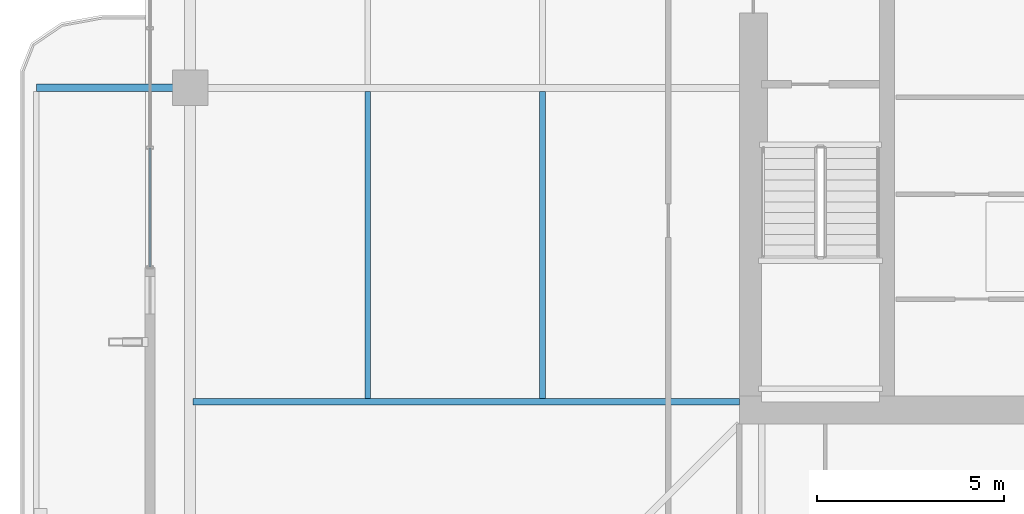
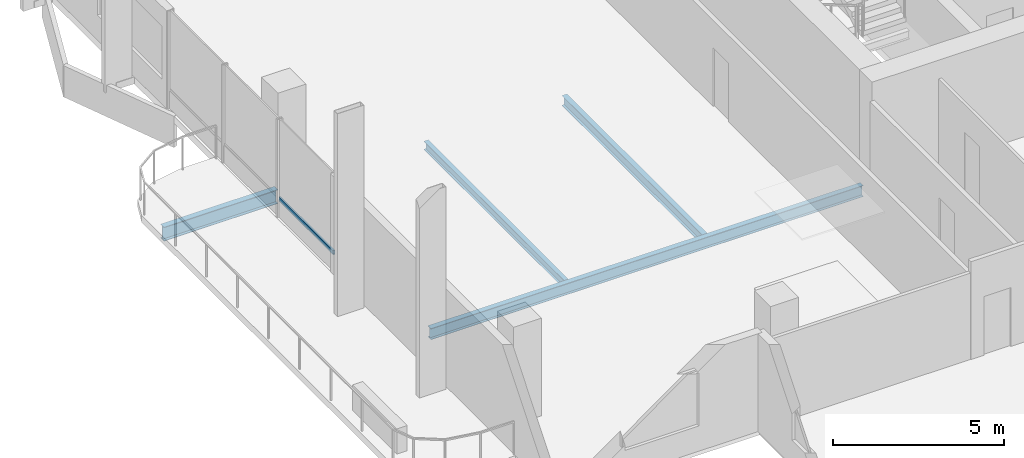
# One storey, part 5 of 25: 4 beams, 1 member, 1 element without a shape of its own.
"""IFC4 building model written with IfcOpenShell, lengths in metres."""

from ifc_helpers import new_model, si_unit, direction, frame, origin, origin_2d, place, context, subcontext, project, spatial, hollow_rectangle, i_section, extrude, material, layer, layer_set, material_profile, profile_set, type_object, element, aggregate, save


model = new_model("IFC4")

# Units and contexts
model_context = context("Model", 3, precision=1e-05, world=origin(), true_north=direction((0.0, 1.0)))
body_context = subcontext(model_context, "Body", "Model", "MODEL_VIEW")
ifc_project = project(units=[si_unit("LENGTHUNIT", "METRE"), si_unit("AREAUNIT", "SQUARE_METRE"), si_unit("VOLUMEUNIT", "CUBIC_METRE"), si_unit("PLANEANGLEUNIT", "RADIAN"), si_unit("MASSUNIT", "GRAM", prefix="KILO")], contexts=[model_context])

# Site, building, storey
site_placement = place(None, origin())
site = spatial("IfcSite", under=ifc_project, at=site_placement, CompositionType="ELEMENT")
building_placement = place(site_placement, origin())
building = spatial("IfcBuilding", under=site, at=building_placement, Name="Belovzor Exchange Tower", CompositionType="ELEMENT")
storey_placement = place(building_placement, frame((0.0, 0.0, 250.35009765625)))
storey = spatial("IfcBuildingStorey", under=building, at=storey_placement, Name="L62", CompositionType="ELEMENT", Elevation=250.35009765625)

# Beams
ifc_material_1 = material(Name="Steel S355", Category="steel")
ifc_material_profile_1 = material_profile(ifc_material_1, i_section(OverallWidth=0.199951171875, OverallDepth=0.5, WebThickness=0.01025390625, FlangeThickness=0.01611328125, at=origin_2d()))
ifc_profile_set_1 = profile_set([ifc_material_profile_1], Name="Steel S355")
beam_type_1 = type_object("IfcBeamType", Name="Planted Balcony Cantilever Beam IPE 500", PredefinedType="BEAM", material=ifc_profile_set_1)
beam_1_placement = place(storey_placement, frame((4.839111328125, 28.800048828125, -0.5), z_axis=(-1.0, 0.0, 0.0), x_axis=(0.0, -1.0, 0.0)))
element("IfcBeam", 1, at=beam_1_placement, inside=storey, type_object=beam_type_1, Name="BC-500 Planted Balcony Cantilever Beam IPE 500", PredefinedType="BEAM", context=body_context, shape_type="SweptSolid", body=[
    extrude(i_section(OverallWidth=0.199951171875, OverallDepth=0.5, WebThickness=0.01025390625, FlangeThickness=0.01611328125, at=origin_2d()), origin(), (0.0, 0.0, 1.0), 3.85009765625),
])
ifc_material_2 = material(Name="Steel S355", Category="steel")
ifc_material_profile_2 = material_profile(ifc_material_2, i_section(OverallWidth=0.169921875, OverallDepth=0.360107421875, WebThickness=0.008056640625, FlangeThickness=0.0126953125, at=origin_2d()))
ifc_profile_set_2 = profile_set([ifc_material_profile_2], Name="Steel S355")
beam_type_2 = type_object("IfcBeamType", Name="Secondary Infill Floor Joist IPE 360", PredefinedType="BEAM", material=ifc_profile_set_2)
beam_2_placement = place(storey_placement, frame((14.534912109375, 20.489990234375, -0.43017578125), z_axis=(0.0, 1.0, 0.0), x_axis=(-1.0, 0.0, 0.0)))
element("IfcBeam", 2, at=beam_2_placement, inside=storey, type_object=beam_type_2, Name="FJ-360 Secondary Infill Floor Joist IPE 360", PredefinedType="BEAM", context=body_context, shape_type="SweptSolid", body=[
    extrude(i_section(OverallWidth=0.169921875, OverallDepth=0.360107421875, WebThickness=0.008056640625, FlangeThickness=0.0126953125, at=origin_2d()), origin(), (0.0, 0.0, 1.0), 8.219970703125),
])
ifc_material_3 = material(Name="Steel S355", Category="steel")
ifc_material_profile_3 = material_profile(ifc_material_3, i_section(OverallWidth=0.14990234375, OverallDepth=0.300048828125, WebThickness=0.007080078125, FlangeThickness=0.0107421875, at=origin_2d()))
ifc_profile_set_3 = profile_set([ifc_material_profile_3], Name="Steel S355")
beam_type_3 = type_object("IfcBeamType", Name="Secondary Trim Floor Joist IPE 300", PredefinedType="BEAM", material=ifc_profile_set_3)
beam_3_placement = place(storey_placement, frame((9.85498046875, 20.489990234375, -0.400146484375), z_axis=(0.0, 1.0, 0.0), x_axis=(-1.0, 0.0, 0.0)))
element("IfcBeam", 3, at=beam_3_placement, inside=storey, type_object=beam_type_3, Name="FJ-300 Secondary Trim Floor Joist IPE 300", PredefinedType="BEAM", context=body_context, shape_type="SweptSolid", body=[
    extrude(i_section(OverallWidth=0.14990234375, OverallDepth=0.300048828125, WebThickness=0.007080078125, FlangeThickness=0.0107421875, at=origin_2d()), origin(), (0.0, 0.0, 1.0), 8.219970703125),
])

# Curtain wall, member
ifc_material_4 = material(Name="Anodised Aluminium Framing", Category="aluminium")
ifc_layer = layer(ifc_material_4, 0.179931640625)
ifc_layer_set = layer_set([ifc_layer], Name="Anodised Aluminium Framing")
curtain_wall_type = type_object("IfcCurtainWallType", Name="Recessed Loggia Low-Iron Triple-Glazed Curtain Wall", PredefinedType="NOTDEFINED", material=ifc_layer_set)
curtain_wall_placement = place(storey_placement, origin())
curtain_wall = element("IfcCurtainWall", 4, at=curtain_wall_placement, inside=storey, type_object=curtain_wall_type, Name="CW3 Recessed Loggia Low-Iron Triple-Glazed Curtain Wall L62", PredefinedType="NOTDEFINED")
ifc_material_5 = material(Name="Steel S355", Category="steel")
ifc_material_profile_4 = material_profile(ifc_material_5, hollow_rectangle(XDim=0.06005859375, YDim=0.14990234375, WallThickness=0.00390625, at=origin_2d()))
ifc_profile_set_4 = profile_set([ifc_material_profile_4], Name="Steel S355")
member_type = type_object("IfcMemberType", Name="Thermally Broken Curtain Wall Transom 150x60", PredefinedType="USERDEFINED", material=ifc_profile_set_4)
member_placement = place(storey_placement, frame((4.030029296875, 24.008056640625, 0.6298828125), z_axis=(0.0, 1.0, 0.0), x_axis=(-1.0, 0.0, 0.0)))
member = element("IfcMember", 5, at=member_placement, type_object=member_type, Name="CW-T150 Curtain Wall Transom 1", ObjectType="TRANSOM", PredefinedType="USERDEFINED", context=body_context, shape_type="SweptSolid", body=[
    extrude(hollow_rectangle(XDim=0.06005859375, YDim=0.14990234375, WallThickness=0.00390625, at=origin_2d()), origin(), (0.0, 0.0, 1.0), 3.183837890625),
])
aggregate(curtain_wall, [member])

# Beam
ifc_material_6 = material(Name="Steel S355", Category="steel")
ifc_material_profile_5 = material_profile(ifc_material_6, i_section(OverallWidth=0.179931640625, OverallDepth=0.39990234375, WebThickness=0.008544921875, FlangeThickness=0.013427734375, at=origin_2d()))
ifc_profile_set_5 = profile_set([ifc_material_profile_5], Name="Steel S355")
beam_type_4 = type_object("IfcBeamType", Name="Zone 5-6 Radial Composite Floor Beam IPE 400", PredefinedType="BEAM", material=ifc_profile_set_5)
beam_4_placement = place(storey_placement, frame((19.800048828125, 20.39990234375, -0.4501953125), z_axis=(-1.0, 0.0, 0.0), x_axis=(0.0, -1.0, 0.0)))
element("IfcBeam", 6, at=beam_4_placement, inside=storey, type_object=beam_type_4, Name="FB-400 Zone 5-6 Radial Composite Floor Beam IPE 400", PredefinedType="BEAM", context=body_context, shape_type="SweptSolid", body=[
    extrude(i_section(OverallWidth=0.179931640625, OverallDepth=0.39990234375, WebThickness=0.008544921875, FlangeThickness=0.013427734375, at=origin_2d()), origin(), (0.0, 0.0, 1.0), 14.625),
])

save(model, "model.ifc")
